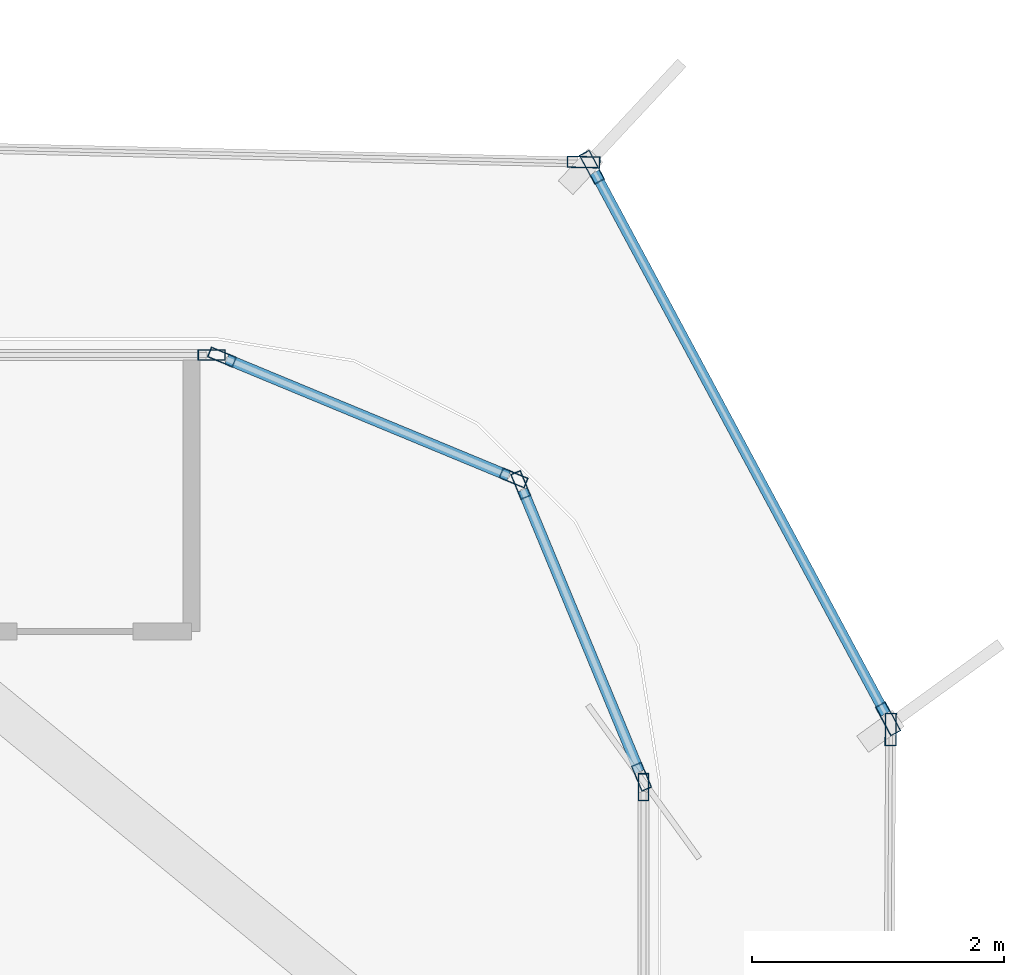
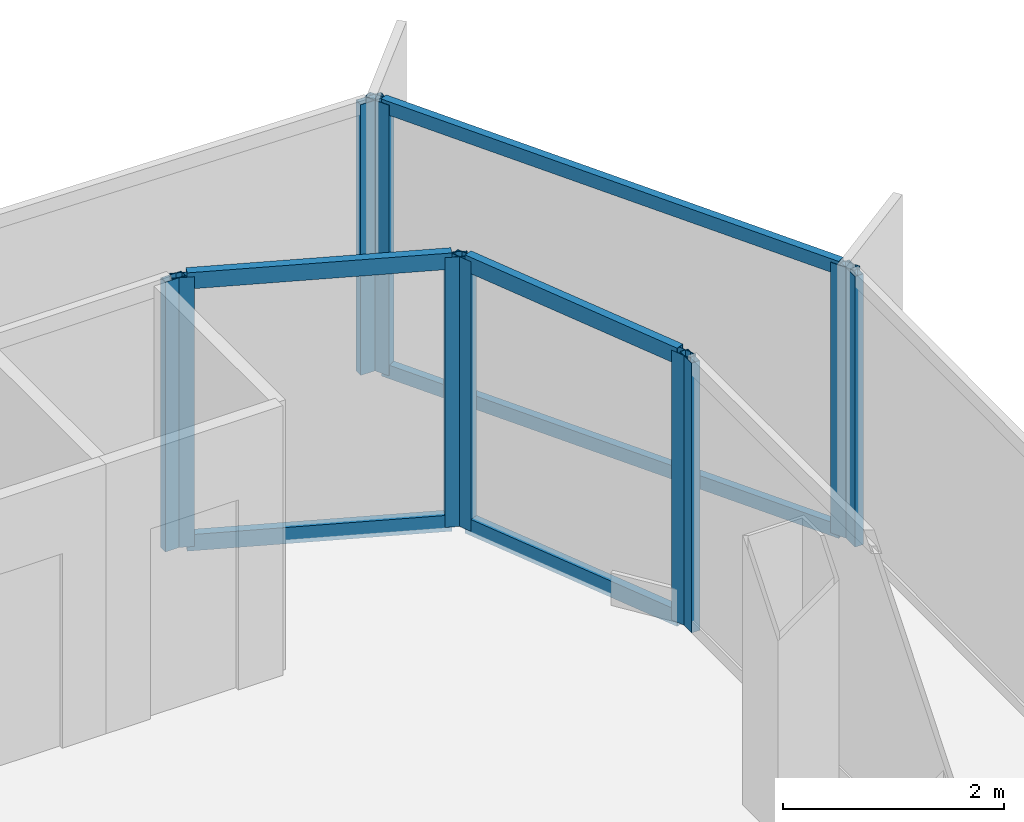
# One storey, part 8 of 16: 16 members, 7 elements without a shape of their own.
"""IFC4 building model written with IfcOpenShell, lengths in metres."""

from ifc_helpers import new_model, si_unit, direction, frame, origin, origin_2d, place, context, subcontext, project, spatial, hollow_rectangle, extrude, source, transform, mapped, material, layer, layer_set, material_profile, profile_set, type_object, element, aggregate, save


model = new_model("IFC4")

# Units and contexts
model_context = context("Model", 3, precision=1e-05, world=origin(), true_north=direction((0.0, 1.0)))
body_context = subcontext(model_context, "Body", "Model", "MODEL_VIEW")
ifc_project = project(units=[si_unit("LENGTHUNIT", "METRE"), si_unit("AREAUNIT", "SQUARE_METRE"), si_unit("VOLUMEUNIT", "CUBIC_METRE"), si_unit("PLANEANGLEUNIT", "RADIAN"), si_unit("MASSUNIT", "GRAM", prefix="KILO")], contexts=[model_context])

# Site, building, storey
site_placement = place(None, origin())
site = spatial("IfcSite", under=ifc_project, at=site_placement, CompositionType="ELEMENT")
building_placement = place(site_placement, origin())
building = spatial("IfcBuilding", under=site, at=building_placement, Name="Kolveth Station Tower", CompositionType="ELEMENT")
storey_placement = place(building_placement, frame((0.0, 0.0, 232.89990234375)))
storey = spatial("IfcBuildingStorey", under=building, at=storey_placement, Name="L66", CompositionType="ELEMENT", Elevation=232.89990234375)

# Curtain wall, member
ifc_material_1 = material(Name="Black anodized aluminium 6063-T6 and dark solar glass", Category="aluminium")
ifc_layer_1 = layer(ifc_material_1, 0.159912109375)
ifc_layer_set_1 = layer_set([ifc_layer_1], Name="Black anodized aluminium 6063-T6 and dark solar glass")
curtain_wall_type_1 = type_object("IfcCurtainWallType", Name="OUTER SKIN CW-OS", PredefinedType="NOTDEFINED", material=ifc_layer_set_1)
curtain_wall_1_placement = place(storey_placement, origin())
curtain_wall_1 = element("IfcCurtainWall", 1, at=curtain_wall_1_placement, inside=storey, type_object=curtain_wall_type_1, Name="L66 Outer Ventilated Skin Curtain Wall 2", PredefinedType="NOTDEFINED")
ifc_material_2 = material(Name="Black anodized aluminium 6063-T6", Category="aluminium")
ifc_material_profile_1 = material_profile(ifc_material_2, hollow_rectangle(XDim=0.090087890625, YDim=0.260009765625, WallThickness=0.0048828125, at=origin_2d()), Name="ALU-90x260x5")
ifc_profile_set_1 = profile_set([ifc_material_profile_1], Name="Black anodized aluminium 6063-T6")
member_type_1 = type_object("IfcMemberType", Name="FIN MULLION ML-OS", PredefinedType="MULLION", material=ifc_profile_set_1)
shared_shape_1 = source(origin(), body_context, "Body", "SweptSolid", [
    extrude(hollow_rectangle(XDim=0.090087890625, YDim=0.260009765625, WallThickness=0.0048828125, at=origin_2d()), origin(), (0.0, 0.0, 1.0), 2.989990234375),
])
member_1_placement = place(storey_placement, frame((43.637939453125, 32.21337890625, 0.0), z_axis=(0.0, 0.0, 1.0), x_axis=(-0.999983692019, 0.005711015244, 0.0)))
member_1 = element("IfcMember", 2, at=member_1_placement, type_object=member_type_1, Name="CW-OS mullion 2", PredefinedType="MULLION", context=body_context, shape_type="MappedRepresentation", body=[
    mapped(shared_shape_1, transform((0.0, 0.0, 0.0), x_axis=(1.0, 0.0, 0.0), y_axis=(0.0, 1.0, 0.0), z_axis=(0.0, 0.0, 1.0), scale=1.0)),
])
aggregate(curtain_wall_1, [member_1])

# Curtain wall, members
curtain_wall_2_placement = place(storey_placement, origin())
curtain_wall_2 = element("IfcCurtainWall", 3, at=curtain_wall_2_placement, inside=storey, type_object=curtain_wall_type_1, Name="L66 Outer Ventilated Skin Curtain Wall 3", PredefinedType="NOTDEFINED")
member_2_placement = place(storey_placement, frame((43.616943359375, 32.2978515625, 0.0), z_axis=(0.0, 0.0, 1.0), x_axis=(-0.881071306573, -0.472983459259, 0.0)))
member_2 = element("IfcMember", 4, at=member_2_placement, type_object=member_type_1, Name="CW-OS mullion 1", PredefinedType="MULLION", context=body_context, shape_type="MappedRepresentation", body=[
    mapped(shared_shape_1, transform((0.0, 0.0, 0.0), x_axis=(1.0, 0.0, 0.0), y_axis=(0.0, 1.0, 0.0), z_axis=(0.0, 0.0, 1.0), scale=1.0)),
])
member_3_placement = place(storey_placement, frame((41.271240234375, 36.667724609375, 0.0), z_axis=(0.0, 0.0, 1.0), x_axis=(-0.881071306573, -0.472983459259, 0.0)))
member_3 = element("IfcMember", 5, at=member_3_placement, type_object=member_type_1, Name="CW-OS mullion 2", PredefinedType="MULLION", context=body_context, shape_type="MappedRepresentation", body=[
    mapped(shared_shape_1, transform((0.0, 0.0, 0.0), x_axis=(1.0, 0.0, 0.0), y_axis=(0.0, 1.0, 0.0), z_axis=(0.0, 0.0, 1.0), scale=1.0)),
])

# Curtain wall, member
curtain_wall_3_placement = place(storey_placement, origin())
curtain_wall_3 = element("IfcCurtainWall", 6, at=curtain_wall_3_placement, inside=storey, type_object=curtain_wall_type_1, Name="L66 Outer Ventilated Skin Curtain Wall 4", PredefinedType="NOTDEFINED")
member_4_placement = place(storey_placement, frame((41.204833984375, 36.70849609375, 0.0), z_axis=(0.0, 0.0, 1.0), x_axis=(-0.023115646129, -0.999732797753, 0.0)))
member_4 = element("IfcMember", 7, at=member_4_placement, type_object=member_type_1, Name="CW-OS mullion 1", PredefinedType="MULLION", context=body_context, shape_type="MappedRepresentation", body=[
    mapped(shared_shape_1, transform((0.0, 0.0, 0.0), x_axis=(1.0, 0.0, 0.0), y_axis=(0.0, 1.0, 0.0), z_axis=(0.0, 0.0, 1.0), scale=1.0)),
])
aggregate(curtain_wall_3, [member_4])

ifc_material_3 = material(Name="Aluminium 6063-T6 and triple low-E dark glass", Category="aluminium")
ifc_layer_2 = layer(ifc_material_3, 0.199951171875)
ifc_layer_set_2 = layer_set([ifc_layer_2], Name="Aluminium 6063-T6 and triple low-E dark glass")
curtain_wall_type_2 = type_object("IfcCurtainWallType", Name="CurtainWall_CW-Z3", PredefinedType="NOTDEFINED", material=ifc_layer_set_2)
curtain_wall_4_placement = place(storey_placement, origin())
curtain_wall_4 = element("IfcCurtainWall", 8, at=curtain_wall_4_placement, inside=storey, type_object=curtain_wall_type_2, Name="L66 Inner Thermal Curtain Wall 3", PredefinedType="NOTDEFINED")
ifc_material_profile_2 = material_profile(ifc_material_2, hollow_rectangle(XDim=0.0849609375, YDim=0.215087890625, WallThickness=0.0048828125, at=origin_2d()), Name="ALU-85x215x5")
ifc_profile_set_2 = profile_set([ifc_material_profile_2], Name="Black anodized aluminium 6063-T6")
member_type_2 = type_object("IfcMemberType", Name="Mullion_ML3", PredefinedType="MULLION", material=ifc_profile_set_2)
shared_shape_2 = source(origin(), body_context, "Body", "SweptSolid", [
    extrude(hollow_rectangle(XDim=0.0849609375, YDim=0.215087890625, WallThickness=0.0048828125, at=origin_2d()), origin(), (0.0, 0.0, 1.0), 2.97998046875),
])
member_5_placement = place(storey_placement, frame((41.679931640625, 31.757568359375, 0.0), z_axis=(0.0, 0.0, 1.0), x_axis=(-1.0, 0.0, 0.0)))
member_5 = element("IfcMember", 9, at=member_5_placement, type_object=member_type_2, Name="CW-Z3 mullion 2", PredefinedType="MULLION", context=body_context, shape_type="MappedRepresentation", body=[
    mapped(shared_shape_2, transform((0.0, 0.0, 0.0), x_axis=(1.0, 0.0, 0.0), y_axis=(0.0, 1.0, 0.0), z_axis=(0.0, 0.0, 1.0), scale=1.0)),
])
aggregate(curtain_wall_4, [member_5])

# Curtain wall, members
curtain_wall_5_placement = place(storey_placement, origin())
curtain_wall_5 = element("IfcCurtainWall", 10, at=curtain_wall_5_placement, inside=storey, type_object=curtain_wall_type_2, Name="L66 Inner Thermal Curtain Wall 4", PredefinedType="NOTDEFINED")
member_6_placement = place(storey_placement, frame((41.663818359375, 31.83935546875, 0.0), z_axis=(0.0, 0.0, 1.0), x_axis=(-0.923875488975, -0.382693194181, 0.0)))
member_6 = element("IfcMember", 11, at=member_6_placement, type_object=member_type_2, Name="CW-Z3 mullion 1", PredefinedType="MULLION", context=body_context, shape_type="MappedRepresentation", body=[
    mapped(shared_shape_2, transform((0.0, 0.0, 0.0), x_axis=(1.0, 0.0, 0.0), y_axis=(0.0, 1.0, 0.0), z_axis=(0.0, 0.0, 1.0), scale=1.0)),
])
member_7_placement = place(storey_placement, frame((40.706298828125, 34.150634765625, 0.0), z_axis=(0.0, 0.0, 1.0), x_axis=(-0.923875488975, -0.382693194181, 0.0)))
member_7 = element("IfcMember", 12, at=member_7_placement, type_object=member_type_2, Name="CW-Z3 mullion 2", PredefinedType="MULLION", context=body_context, shape_type="MappedRepresentation", body=[
    mapped(shared_shape_2, transform((0.0, 0.0, 0.0), x_axis=(1.0, 0.0, 0.0), y_axis=(0.0, 1.0, 0.0), z_axis=(0.0, 0.0, 1.0), scale=1.0)),
])

curtain_wall_6_placement = place(storey_placement, origin())
curtain_wall_6 = element("IfcCurtainWall", 13, at=curtain_wall_6_placement, inside=storey, type_object=curtain_wall_type_2, Name="L66 Inner Thermal Curtain Wall 5", PredefinedType="NOTDEFINED")
member_8_placement = place(storey_placement, frame((40.650634765625, 34.206298828125, 0.0), z_axis=(0.0, 0.0, 1.0), x_axis=(-0.382693194181, -0.923875488975, 0.0)))
member_8 = element("IfcMember", 14, at=member_8_placement, type_object=member_type_2, Name="CW-Z3 mullion 1", PredefinedType="MULLION", context=body_context, shape_type="MappedRepresentation", body=[
    mapped(shared_shape_2, transform((0.0, 0.0, 0.0), x_axis=(1.0, 0.0, 0.0), y_axis=(0.0, 1.0, 0.0), z_axis=(0.0, 0.0, 1.0), scale=1.0)),
])
member_9_placement = place(storey_placement, frame((38.33935546875, 35.163818359375, 0.0), z_axis=(0.0, 0.0, 1.0), x_axis=(-0.382693194181, -0.923875488975, 0.0)))
member_9 = element("IfcMember", 15, at=member_9_placement, type_object=member_type_2, Name="CW-Z3 mullion 2", PredefinedType="MULLION", context=body_context, shape_type="MappedRepresentation", body=[
    mapped(shared_shape_2, transform((0.0, 0.0, 0.0), x_axis=(1.0, 0.0, 0.0), y_axis=(0.0, 1.0, 0.0), z_axis=(0.0, 0.0, 1.0), scale=1.0)),
])

# Curtain wall, member
curtain_wall_7_placement = place(storey_placement, origin())
curtain_wall_7 = element("IfcCurtainWall", 16, at=curtain_wall_7_placement, inside=storey, type_object=curtain_wall_type_2, Name="L66 Inner Thermal Curtain Wall 6", PredefinedType="NOTDEFINED")
member_10_placement = place(storey_placement, frame((38.257568359375, 35.179931640625, 0.0), z_axis=(0.0, 0.0, 1.0), x_axis=(0.0, -1.0, 0.0)))
member_10 = element("IfcMember", 17, at=member_10_placement, type_object=member_type_2, Name="CW-Z3 mullion 1", PredefinedType="MULLION", context=body_context, shape_type="MappedRepresentation", body=[
    mapped(shared_shape_2, transform((0.0, 0.0, 0.0), x_axis=(1.0, 0.0, 0.0), y_axis=(0.0, 1.0, 0.0), z_axis=(0.0, 0.0, 1.0), scale=1.0)),
])
aggregate(curtain_wall_7, [member_10])

# Member
ifc_material_profile_3 = material_profile(ifc_material_2, hollow_rectangle(XDim=0.0849609375, YDim=0.179931640625, WallThickness=0.0048828125, at=origin_2d()), Name="ALU-85x180x5")
ifc_profile_set_3 = profile_set([ifc_material_profile_3], Name="Black anodized aluminium 6063-T6")
member_type_3 = type_object("IfcMemberType", Name="Transom_TR3", PredefinedType="USERDEFINED", material=ifc_profile_set_3)
shared_shape_3 = source(origin(), body_context, "Body", "SweptSolid", [
    extrude(hollow_rectangle(XDim=0.0849609375, YDim=0.179931640625, WallThickness=0.0048828125, at=origin_2d()), origin(), (0.0, 0.0, 1.0), 2.417236328125),
])
member_11_placement = place(storey_placement, frame((41.6474609375, 31.87841796875, 0.04248046875), z_axis=(-0.382699687013, 0.923872799448, 0.0), x_axis=(-0.923872799448, -0.382699687013, 0.0)))
member_11 = element("IfcMember", 18, at=member_11_placement, type_object=member_type_3, Name="CW-Z3 transom 1.1", ObjectType="TRANSOM", PredefinedType="USERDEFINED", context=body_context, shape_type="MappedRepresentation", body=[
    mapped(shared_shape_3, transform((0.0, 0.0, 0.0), x_axis=(1.0, 0.0, 0.0), y_axis=(0.0, 1.0, 0.0), z_axis=(0.0, 0.0, 1.0), scale=1.0)),
])

member_12_placement = place(storey_placement, frame((41.6474609375, 31.87841796875, 2.9375), z_axis=(-0.382699687013, 0.923872799448, 0.0), x_axis=(-0.923872799448, -0.382699687013, 0.0)))
member_12 = element("IfcMember", 19, at=member_12_placement, type_object=member_type_3, Name="CW-Z3 transom 1.2", ObjectType="TRANSOM", PredefinedType="USERDEFINED", context=body_context, shape_type="MappedRepresentation", body=[
    mapped(shared_shape_3, transform((0.0, 0.0, 0.0), x_axis=(1.0, 0.0, 0.0), y_axis=(0.0, 1.0, 0.0), z_axis=(0.0, 0.0, 1.0), scale=1.0)),
])

aggregate(curtain_wall_5, [member_6, member_7, member_11, member_12])

member_13_placement = place(storey_placement, frame((40.611572265625, 34.222412109375, 0.04248046875), z_axis=(-0.923872799448, 0.382699687013, 0.0), x_axis=(-0.382699687013, -0.923872799448, 0.0)))
member_13 = element("IfcMember", 20, at=member_13_placement, type_object=member_type_3, Name="CW-Z3 transom 1.1", ObjectType="TRANSOM", PredefinedType="USERDEFINED", context=body_context, shape_type="MappedRepresentation", body=[
    mapped(shared_shape_3, transform((0.0, 0.0, 0.0), x_axis=(1.0, 0.0, 0.0), y_axis=(0.0, 1.0, 0.0), z_axis=(0.0, 0.0, 1.0), scale=1.0)),
])

member_14_placement = place(storey_placement, frame((40.611572265625, 34.222412109375, 2.9375), z_axis=(-0.923872799448, 0.382699687013, 0.0), x_axis=(-0.382699687013, -0.923872799448, 0.0)))
member_14 = element("IfcMember", 21, at=member_14_placement, type_object=member_type_3, Name="CW-Z3 transom 1.2", ObjectType="TRANSOM", PredefinedType="USERDEFINED", context=body_context, shape_type="MappedRepresentation", body=[
    mapped(shared_shape_3, transform((0.0, 0.0, 0.0), x_axis=(1.0, 0.0, 0.0), y_axis=(0.0, 1.0, 0.0), z_axis=(0.0, 0.0, 1.0), scale=1.0)),
])

aggregate(curtain_wall_6, [member_8, member_9, member_13, member_14])

ifc_material_profile_4 = material_profile(ifc_material_2, hollow_rectangle(XDim=0.080078125, YDim=0.14990234375, WallThickness=0.0048828125, at=origin_2d()), Name="ALU-80x150x5")
ifc_profile_set_4 = profile_set([ifc_material_profile_4], Name="Black anodized aluminium 6063-T6")
member_type_4 = type_object("IfcMemberType", Name="Transom_TR-OS", PredefinedType="USERDEFINED", material=ifc_profile_set_4)
shared_shape_4 = source(origin(), body_context, "Body", "SweptSolid", [
    extrude(hollow_rectangle(XDim=0.080078125, YDim=0.14990234375, WallThickness=0.0048828125, at=origin_2d()), origin(), (0.0, 0.0, 1.0), 4.86962890625),
])
member_15_placement = place(storey_placement, frame((43.595703125, 32.337646484375, 0.0400390625), z_axis=(-0.472975304663, 0.881075684138, 0.0), x_axis=(-0.881075684138, -0.472975304663, 0.0)))
member_15 = element("IfcMember", 22, at=member_15_placement, type_object=member_type_4, Name="CW-OS transom 1.1", ObjectType="TRANSOM", PredefinedType="USERDEFINED", context=body_context, shape_type="MappedRepresentation", body=[
    mapped(shared_shape_4, transform((0.0, 0.0, 0.0), x_axis=(1.0, 0.0, 0.0), y_axis=(0.0, 1.0, 0.0), z_axis=(0.0, 0.0, 1.0), scale=1.0)),
])

member_16_placement = place(storey_placement, frame((43.595703125, 32.337646484375, 2.9501953125), z_axis=(-0.472975304663, 0.881075684138, 0.0), x_axis=(-0.881075684138, -0.472975304663, 0.0)))
member_16 = element("IfcMember", 23, at=member_16_placement, type_object=member_type_4, Name="CW-OS transom 1.2", ObjectType="TRANSOM", PredefinedType="USERDEFINED", context=body_context, shape_type="MappedRepresentation", body=[
    mapped(shared_shape_4, transform((0.0, 0.0, 0.0), x_axis=(1.0, 0.0, 0.0), y_axis=(0.0, 1.0, 0.0), z_axis=(0.0, 0.0, 1.0), scale=1.0)),
])

aggregate(curtain_wall_2, [member_2, member_3, member_15, member_16])

save(model, "model.ifc")
